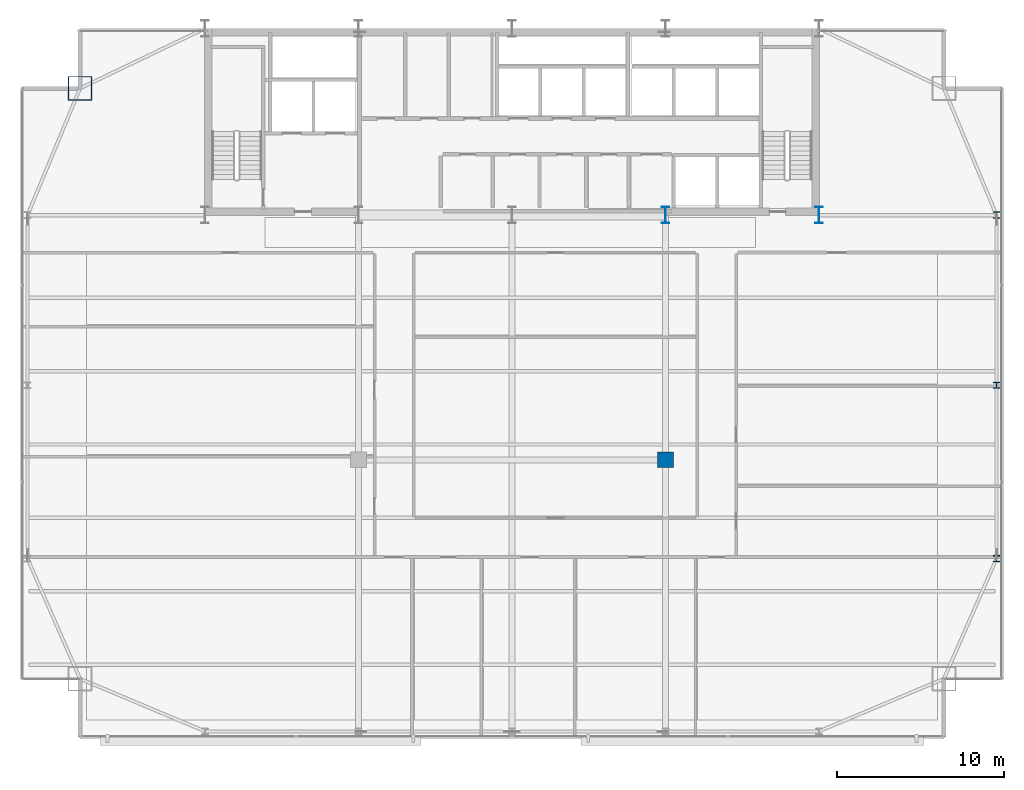
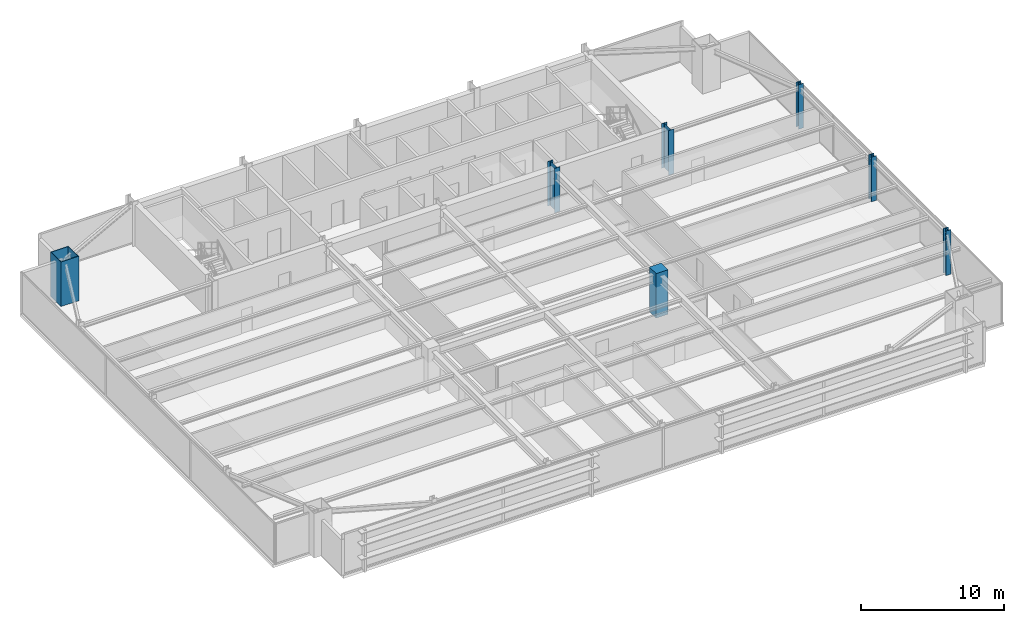
# One storey, part 2 of 33: 7 columns.
"""IFC4 building model written with IfcOpenShell, lengths in metres."""

from ifc_helpers import new_model, si_unit, direction, frame, origin, origin_2d, place, context, subcontext, project, spatial, rectangle, hollow_rectangle, i_section, extrude, source, transform, mapped, material, material_profile, profile_set, type_object, type_shapes, element, save


model = new_model("IFC4")

# Units and contexts
model_context = context("Model", 3, precision=1e-05, world=origin(), true_north=direction((0.0, 1.0)))
body_context = subcontext(model_context, "Body", "Model", "MODEL_VIEW")
ifc_project = project(units=[si_unit("LENGTHUNIT", "METRE"), si_unit("AREAUNIT", "SQUARE_METRE"), si_unit("VOLUMEUNIT", "CUBIC_METRE"), si_unit("PLANEANGLEUNIT", "RADIAN"), si_unit("MASSUNIT", "GRAM", prefix="KILO")], contexts=[model_context])

# Site, building, storey
site_placement = place(None, origin())
site = spatial("IfcSite", under=ifc_project, at=site_placement, CompositionType="ELEMENT")
building_placement = place(site_placement, origin())
building = spatial("IfcBuilding", under=site, at=building_placement, Name="Varnel Quay Broadcast Tower", CompositionType="ELEMENT")
storey_placement = place(building_placement, frame((0.0, 0.0, 137.199951171875)))
storey = spatial("IfcBuildingStorey", under=building, at=storey_placement, Name="L33", CompositionType="ELEMENT", Elevation=137.199951171875)

# Columns
ifc_material_1 = material(Name="Structural Steel CSA G40.21 350WT", Category="steel")
ifc_material_profile_1 = material_profile(ifc_material_1, i_section(OverallWidth=0.449951171875, OverallDepth=1.0, WebThickness=0.01611328125, FlangeThickness=0.030029296875, FilletRadius=0.01611328125, at=origin_2d()), Name="WWF1000X362")
ifc_profile_set_1 = profile_set([ifc_material_profile_1], Name="Structural Steel CSA G40.21 350WT")
column_type_1 = type_object("IfcColumnType", Name="Col_WWF1000X362", PredefinedType="COLUMN", material=ifc_profile_set_1)
shared_shape_1 = source(origin(), body_context, "Body", "SweptSolid", [
    extrude(i_section(OverallWidth=0.449951171875, OverallDepth=1.0, WebThickness=0.01611328125, FlangeThickness=0.030029296875, FilletRadius=0.01611328125, at=origin_2d()), origin(), (0.0, 0.0, 1.0), 3.800048828125),
])
type_shapes(column_type_1, [shared_shape_1])
for number, where, z_axis, x_axis, name in (
    (1, (43.199951171875, 35.60009765625, 0.0), (0.0, 0.0, 1.0), (1.0, 0.0, 0.0), "L33 Column CC-S4"),
    (2, (52.39990234375, 35.60009765625, 0.0), (0.0, 0.0, 1.0), (1.0, 0.0, 0.0), "L33 Column CC-S5"),
):
    element("IfcColumn", number, at=place(storey_placement, frame(where, z_axis=z_axis, x_axis=x_axis)), inside=storey, type_object=column_type_1, Name=name, PredefinedType="COLUMN", context=body_context, shape_type="MappedRepresentation", body=[
        mapped(shared_shape_1, transform((0.0, 0.0, 0.0), x_axis=(1.0, 0.0, 0.0), y_axis=(0.0, 1.0, 0.0), z_axis=(0.0, 0.0, 1.0), scale=1.0)),
    ])
ifc_material_profile_2 = material_profile(ifc_material_1, hollow_rectangle(XDim=1.449951171875, YDim=1.449951171875, WallThickness=0.054931640625, at=origin_2d()), Name="BOX1450X1450X55")
ifc_profile_set_2 = profile_set([ifc_material_profile_2], Name="Structural Steel CSA G40.21 350WT")
column_type_2 = type_object("IfcColumnType", Name="Col_BOX1450X1450X55", PredefinedType="COLUMN", material=ifc_profile_set_2)
shared_shape_2 = source(origin(), body_context, "Body", "SweptSolid", [
    extrude(hollow_rectangle(XDim=1.449951171875, YDim=1.449951171875, WallThickness=0.054931640625, at=origin_2d()), origin(), (0.0, 0.0, 1.0), 3.800048828125),
])
type_shapes(column_type_2, [shared_shape_2])
column_1_placement = place(storey_placement, frame((8.10009765625, 43.199951171875, 0.0), z_axis=(0.0, 0.0, 1.0), x_axis=(1.0, 0.0, 0.0)))
element("IfcColumn", 3, at=column_1_placement, inside=storey, type_object=column_type_2, Name="L33 Column MC-NW", PredefinedType="COLUMN", context=body_context, shape_type="MappedRepresentation", body=[
    mapped(shared_shape_2, transform((0.0, 0.0, 0.0), x_axis=(1.0, 0.0, 0.0), y_axis=(0.0, 1.0, 0.0), z_axis=(0.0, 0.0, 1.0), scale=1.0)),
])
ifc_material_2 = material(Name="Structural Steel CSA G40.21 350W", Category="steel")
ifc_material_profile_3 = material_profile(ifc_material_2, i_section(OverallWidth=0.39794921875, OverallDepth=0.386962890625, WebThickness=0.02099609375, FlangeThickness=0.033203125, FilletRadius=0.01806640625, at=origin_2d()), Name="W360X262")
ifc_profile_set_3 = profile_set([ifc_material_profile_3], Name="Structural Steel CSA G40.21 350W")
column_type_3 = type_object("IfcColumnType", Name="Col_W360X262", PredefinedType="COLUMN", material=ifc_profile_set_3)
shared_shape_3 = source(origin(), body_context, "Body", "SweptSolid", [
    extrude(i_section(OverallWidth=0.39794921875, OverallDepth=0.386962890625, WebThickness=0.02099609375, FlangeThickness=0.033203125, FilletRadius=0.01806640625, at=origin_2d()), origin(), (0.0, 0.0, 1.0), 3.800048828125),
])
type_shapes(column_type_3, [shared_shape_3])
for number, where, z_axis, x_axis, name in (
    (4, (63.050048828125, 15.0, 0.0), (0.0, 0.0, 1.0), (1.0, 0.0, 0.0), "L33 Column TC-E1"),
    (5, (63.050048828125, 25.39990234375, 0.0), (0.0, 0.0, 1.0), (1.0, 0.0, 0.0), "L33 Column TC-E2"),
    (6, (63.050048828125, 35.60009765625, 0.0), (0.0, 0.0, 1.0), (1.0, 0.0, 0.0), "L33 Column TC-E3"),
):
    element("IfcColumn", number, at=place(storey_placement, frame(where, z_axis=z_axis, x_axis=x_axis)), inside=storey, type_object=column_type_3, Name=name, PredefinedType="COLUMN", context=body_context, shape_type="MappedRepresentation", body=[
        mapped(shared_shape_3, transform((0.0, 0.0, 0.0), x_axis=(1.0, 0.0, 0.0), y_axis=(0.0, 1.0, 0.0), z_axis=(0.0, 0.0, 1.0), scale=1.0)),
    ])
ifc_material_3 = material(Name="Concrete CSA A23.3 C50/60", Category="concrete")
ifc_material_profile_4 = material_profile(ifc_material_3, rectangle(XDim=0.949951171875, YDim=0.949951171875, at=origin_2d()), Name="RC950X950")
ifc_profile_set_4 = profile_set([ifc_material_profile_4], Name="Concrete CSA A23.3 C50/60")
column_type_4 = type_object("IfcColumnType", Name="Col_RC950X950", PredefinedType="COLUMN", material=ifc_profile_set_4)
shared_shape_4 = source(origin(), body_context, "Body", "SweptSolid", [
    extrude(rectangle(XDim=0.949951171875, YDim=0.949951171875, at=origin_2d()), origin(), (0.0, 0.0, 1.0), 3.800048828125),
])
type_shapes(column_type_4, [shared_shape_4])
column_2_placement = place(storey_placement, frame((43.199951171875, 20.929931640625, 0.0), z_axis=(0.0, 0.0, 1.0), x_axis=(1.0, 0.0, 0.0)))
element("IfcColumn", 7, at=column_2_placement, inside=storey, type_object=column_type_4, Name="L33 Column IC-02", PredefinedType="COLUMN", context=body_context, shape_type="MappedRepresentation", body=[
    mapped(shared_shape_4, transform((0.0, 0.0, 0.0), x_axis=(1.0, 0.0, 0.0), y_axis=(0.0, 1.0, 0.0), z_axis=(0.0, 0.0, 1.0), scale=1.0)),
])

save(model, "model.ifc")
